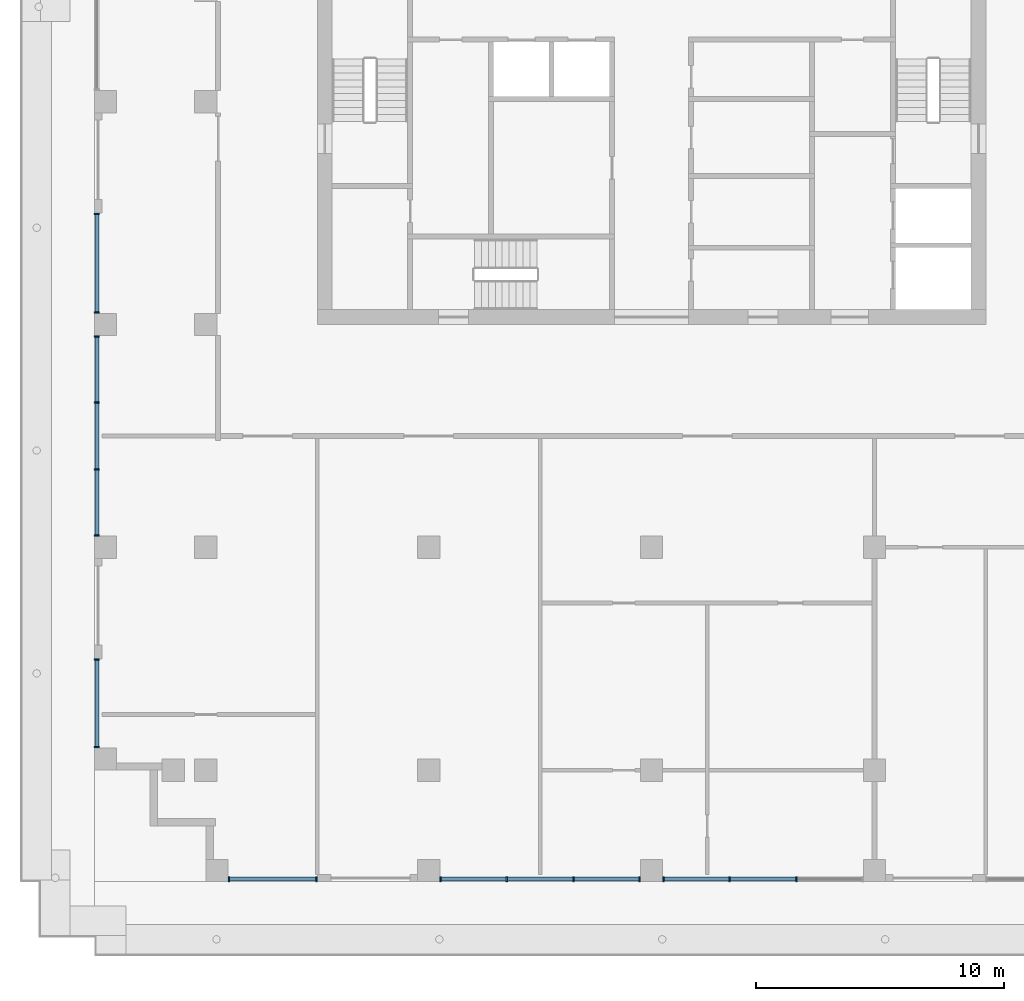
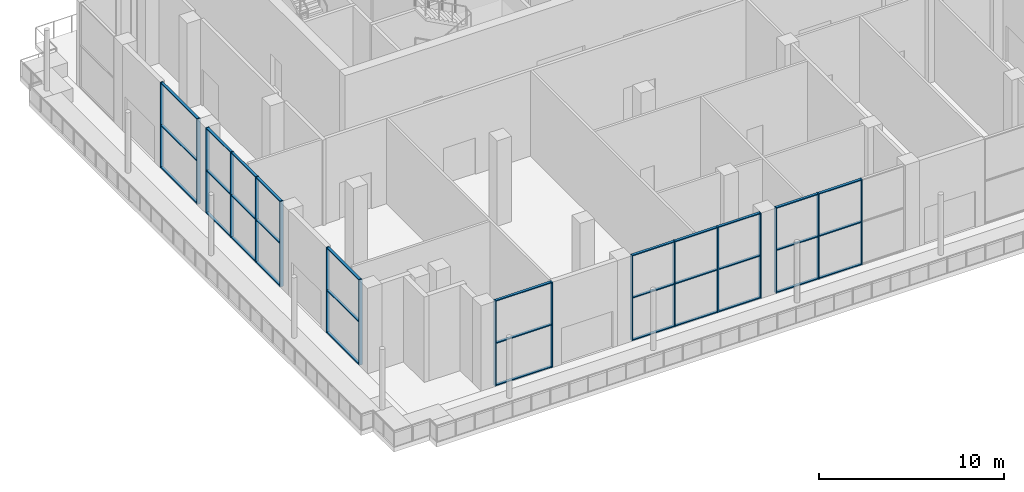
# One storey, part 2 of 13: 50 members, 6 elements without a shape of their own.
"""IFC4 building model written with IfcOpenShell, lengths in metres."""

from ifc_helpers import new_model, si_unit, direction, frame, origin, origin_2d, place, context, subcontext, project, spatial, rectangle, extrude, material, material_profile, profile_set, type_object, element, aggregate, save


model = new_model("IFC4")

# Units and contexts
model_context = context("Model", 3, precision=1e-05, world=origin(), true_north=direction((0.0, 1.0)))
body_context = subcontext(model_context, "Body", "Model", "MODEL_VIEW")
ifc_project = project(units=[si_unit("LENGTHUNIT", "METRE"), si_unit("AREAUNIT", "SQUARE_METRE"), si_unit("VOLUMEUNIT", "CUBIC_METRE"), si_unit("PLANEANGLEUNIT", "RADIAN"), si_unit("MASSUNIT", "GRAM", prefix="KILO")], contexts=[model_context])

# Site, building, storey
site_placement = place(None, origin())
site = spatial("IfcSite", under=ifc_project, at=site_placement, CompositionType="ELEMENT")
building_placement = place(site_placement, origin())
building = spatial("IfcBuilding", under=site, at=building_placement, Name="Orbiselva Terraces", CompositionType="ELEMENT")
storey_placement = place(building_placement, frame((0.0, 0.0, 297.4)))
storey = spatial("IfcBuildingStorey", under=building, at=storey_placement, Name="L74", CompositionType="ELEMENT", Elevation=297.4)

# Curtain wall, members
ifc_material_1 = material(Name="Clear low-e glazing in aluminium frame", Category="aluminium")
curtain_wall_type = type_object("IfcCurtainWallType", Name="ENV-CW-OBS", PredefinedType="NOTDEFINED", material=ifc_material_1)
curtain_wall_1_placement = place(storey_placement, origin())
curtain_wall_1 = element("IfcCurtainWall", 1, at=curtain_wall_1_placement, inside=storey, type_object=curtain_wall_type, Name="Curtain wall L74 S", PredefinedType="NOTDEFINED")
ifc_material_2 = material(Name="Anodised aluminium", Category="aluminium")
ifc_material_profile_1 = material_profile(ifc_material_2, rectangle(XDim=0.2, YDim=0.065, at=origin_2d()), Name="AL 65x200")
ifc_profile_set_1 = profile_set([ifc_material_profile_1], Name="Anodised aluminium")
member_type_1 = type_object("IfcMemberType", Name="ENV-CW-OBS-MULLION-65x200", PredefinedType="MULLION", material=ifc_profile_set_1)
member_1_placement = place(storey_placement, frame((-17.0675, -17.9, 0.0), z_axis=(0.0, 0.0, 1.0), x_axis=(0.0, 1.0, 0.0)))
member_1 = element("IfcMember", 2, at=member_1_placement, type_object=member_type_1, Name="CW5 mullion 1", PredefinedType="MULLION", context=body_context, shape_type="SweptSolid", body=[
    extrude(rectangle(XDim=0.2, YDim=0.065, at=origin_2d()), origin(), (0.0, 0.0, 1.0), 5.65),
])
member_2_placement = place(storey_placement, frame((-13.5325, -17.9, 0.0), z_axis=(0.0, 0.0, 1.0), x_axis=(0.0, 1.0, 0.0)))
member_2 = element("IfcMember", 3, at=member_2_placement, type_object=member_type_1, Name="CW5 mullion 2", PredefinedType="MULLION", context=body_context, shape_type="SweptSolid", body=[
    extrude(rectangle(XDim=0.2, YDim=0.065, at=origin_2d()), origin(), (0.0, 0.0, 1.0), 5.65),
])

curtain_wall_2_placement = place(storey_placement, origin())
curtain_wall_2 = element("IfcCurtainWall", 4, at=curtain_wall_2_placement, inside=storey, type_object=curtain_wall_type, Name="Curtain wall L74 S", PredefinedType="NOTDEFINED")
member_3_placement = place(storey_placement, frame((-8.5175, -17.9, 0.0), z_axis=(0.0, 0.0, 1.0), x_axis=(0.0, 1.0, 0.0)))
member_3 = element("IfcMember", 5, at=member_3_placement, type_object=member_type_1, Name="CW5 mullion 1", PredefinedType="MULLION", context=body_context, shape_type="SweptSolid", body=[
    extrude(rectangle(XDim=0.2, YDim=0.065, at=origin_2d()), origin(), (0.0, 0.0, 1.0), 5.65),
])
member_4_placement = place(storey_placement, frame((-5.85, -17.9, 0.0), z_axis=(0.0, 0.0, 1.0), x_axis=(0.0, 1.0, 0.0)))
member_4 = element("IfcMember", 6, at=member_4_placement, type_object=member_type_1, Name="CW5 mullion 2", PredefinedType="MULLION", context=body_context, shape_type="SweptSolid", body=[
    extrude(rectangle(XDim=0.2, YDim=0.065, at=origin_2d()), origin(), (0.0, 0.0, 1.0), 5.65),
])
member_5_placement = place(storey_placement, frame((-3.15, -17.9, 0.0), z_axis=(0.0, 0.0, 1.0), x_axis=(0.0, 1.0, 0.0)))
member_5 = element("IfcMember", 7, at=member_5_placement, type_object=member_type_1, Name="CW5 mullion 3", PredefinedType="MULLION", context=body_context, shape_type="SweptSolid", body=[
    extrude(rectangle(XDim=0.2, YDim=0.065, at=origin_2d()), origin(), (0.0, 0.0, 1.0), 5.65),
])
member_6_placement = place(storey_placement, frame((-0.4825, -17.9, 0.0), z_axis=(0.0, 0.0, 1.0), x_axis=(0.0, 1.0, 0.0)))
member_6 = element("IfcMember", 8, at=member_6_placement, type_object=member_type_1, Name="CW5 mullion 4", PredefinedType="MULLION", context=body_context, shape_type="SweptSolid", body=[
    extrude(rectangle(XDim=0.2, YDim=0.065, at=origin_2d()), origin(), (0.0, 0.0, 1.0), 5.65),
])

curtain_wall_3_placement = place(storey_placement, origin())
curtain_wall_3 = element("IfcCurtainWall", 9, at=curtain_wall_3_placement, inside=storey, type_object=curtain_wall_type, Name="Curtain wall L74 S", PredefinedType="NOTDEFINED")
member_7_placement = place(storey_placement, frame((0.4825, -17.9, 0.0), z_axis=(0.0, 0.0, 1.0), x_axis=(0.0, 1.0, 0.0)))
member_7 = element("IfcMember", 10, at=member_7_placement, type_object=member_type_1, Name="CW5 mullion 1", PredefinedType="MULLION", context=body_context, shape_type="SweptSolid", body=[
    extrude(rectangle(XDim=0.2, YDim=0.065, at=origin_2d()), origin(), (0.0, 0.0, 1.0), 5.65),
])
member_8_placement = place(storey_placement, frame((3.15, -17.9, 0.0), z_axis=(0.0, 0.0, 1.0), x_axis=(0.0, 1.0, 0.0)))
member_8 = element("IfcMember", 11, at=member_8_placement, type_object=member_type_1, Name="CW5 mullion 2", PredefinedType="MULLION", context=body_context, shape_type="SweptSolid", body=[
    extrude(rectangle(XDim=0.2, YDim=0.065, at=origin_2d()), origin(), (0.0, 0.0, 1.0), 5.65),
])
member_9_placement = place(storey_placement, frame((5.85, -17.9, 0.0), z_axis=(0.0, 0.0, 1.0), x_axis=(0.0, 1.0, 0.0)))
member_9 = element("IfcMember", 12, at=member_9_placement, type_object=member_type_1, Name="CW5 mullion 3", PredefinedType="MULLION", context=body_context, shape_type="SweptSolid", body=[
    extrude(rectangle(XDim=0.2, YDim=0.065, at=origin_2d()), origin(), (0.0, 0.0, 1.0), 5.65),
])

curtain_wall_4_placement = place(storey_placement, origin())
curtain_wall_4 = element("IfcCurtainWall", 13, at=curtain_wall_4_placement, inside=storey, type_object=curtain_wall_type, Name="Curtain wall L74 W", PredefinedType="NOTDEFINED")
member_10_placement = place(storey_placement, frame((-22.4, 8.9675, 0.0), z_axis=(0.0, 0.0, 1.0), x_axis=(1.0, 0.0, 0.0)))
member_10 = element("IfcMember", 14, at=member_10_placement, type_object=member_type_1, Name="CW5 mullion 1", PredefinedType="MULLION", context=body_context, shape_type="SweptSolid", body=[
    extrude(rectangle(XDim=0.2, YDim=0.065, at=origin_2d()), origin(), (0.0, 0.0, 1.0), 5.65),
])
member_11_placement = place(storey_placement, frame((-22.4, 4.9825, 0.0), z_axis=(0.0, 0.0, 1.0), x_axis=(1.0, 0.0, 0.0)))
member_11 = element("IfcMember", 15, at=member_11_placement, type_object=member_type_1, Name="CW5 mullion 2", PredefinedType="MULLION", context=body_context, shape_type="SweptSolid", body=[
    extrude(rectangle(XDim=0.2, YDim=0.065, at=origin_2d()), origin(), (0.0, 0.0, 1.0), 5.65),
])

curtain_wall_5_placement = place(storey_placement, origin())
curtain_wall_5 = element("IfcCurtainWall", 16, at=curtain_wall_5_placement, inside=storey, type_object=curtain_wall_type, Name="Curtain wall L74 W", PredefinedType="NOTDEFINED")
member_12_placement = place(storey_placement, frame((-22.4, 4.0175, 0.0), z_axis=(0.0, 0.0, 1.0), x_axis=(1.0, 0.0, 0.0)))
member_12 = element("IfcMember", 17, at=member_12_placement, type_object=member_type_1, Name="CW5 mullion 1", PredefinedType="MULLION", context=body_context, shape_type="SweptSolid", body=[
    extrude(rectangle(XDim=0.2, YDim=0.065, at=origin_2d()), origin(), (0.0, 0.0, 1.0), 5.65),
])
member_13_placement = place(storey_placement, frame((-22.4, 1.35, 0.0), z_axis=(0.0, 0.0, 1.0), x_axis=(1.0, 0.0, 0.0)))
member_13 = element("IfcMember", 18, at=member_13_placement, type_object=member_type_1, Name="CW5 mullion 2", PredefinedType="MULLION", context=body_context, shape_type="SweptSolid", body=[
    extrude(rectangle(XDim=0.2, YDim=0.065, at=origin_2d()), origin(), (0.0, 0.0, 1.0), 5.65),
])
member_14_placement = place(storey_placement, frame((-22.4, -1.35, 0.0), z_axis=(0.0, 0.0, 1.0), x_axis=(1.0, 0.0, 0.0)))
member_14 = element("IfcMember", 19, at=member_14_placement, type_object=member_type_1, Name="CW5 mullion 3", PredefinedType="MULLION", context=body_context, shape_type="SweptSolid", body=[
    extrude(rectangle(XDim=0.2, YDim=0.065, at=origin_2d()), origin(), (0.0, 0.0, 1.0), 5.65),
])
member_15_placement = place(storey_placement, frame((-22.4, -4.0175, 0.0), z_axis=(0.0, 0.0, 1.0), x_axis=(1.0, 0.0, 0.0)))
member_15 = element("IfcMember", 20, at=member_15_placement, type_object=member_type_1, Name="CW5 mullion 4", PredefinedType="MULLION", context=body_context, shape_type="SweptSolid", body=[
    extrude(rectangle(XDim=0.2, YDim=0.065, at=origin_2d()), origin(), (0.0, 0.0, 1.0), 5.65),
])

curtain_wall_6_placement = place(storey_placement, origin())
curtain_wall_6 = element("IfcCurtainWall", 21, at=curtain_wall_6_placement, inside=storey, type_object=curtain_wall_type, Name="Curtain wall L74 W", PredefinedType="NOTDEFINED")
member_16_placement = place(storey_placement, frame((-22.4, -9.0325, 0.0), z_axis=(0.0, 0.0, 1.0), x_axis=(1.0, 0.0, 0.0)))
member_16 = element("IfcMember", 22, at=member_16_placement, type_object=member_type_1, Name="CW5 mullion 1", PredefinedType="MULLION", context=body_context, shape_type="SweptSolid", body=[
    extrude(rectangle(XDim=0.2, YDim=0.065, at=origin_2d()), origin(), (0.0, 0.0, 1.0), 5.65),
])
member_17_placement = place(storey_placement, frame((-22.4, -12.5675, 0.0), z_axis=(0.0, 0.0, 1.0), x_axis=(1.0, 0.0, 0.0)))
member_17 = element("IfcMember", 23, at=member_17_placement, type_object=member_type_1, Name="CW5 mullion 2", PredefinedType="MULLION", context=body_context, shape_type="SweptSolid", body=[
    extrude(rectangle(XDim=0.2, YDim=0.065, at=origin_2d()), origin(), (0.0, 0.0, 1.0), 5.65),
])

# Member
ifc_material_profile_2 = material_profile(ifc_material_2, rectangle(XDim=0.16, YDim=0.065, at=origin_2d()), Name="AL 65x160")
ifc_profile_set_2 = profile_set([ifc_material_profile_2], Name="Anodised aluminium")
member_type_2 = type_object("IfcMemberType", Name="ENV-CW-OBS-TRANSOM-65x160", PredefinedType="USERDEFINED", material=ifc_profile_set_2)
member_18_placement = place(storey_placement, frame((-17.035, -17.9, 0.0325), z_axis=(1.0, 0.0, 0.0), x_axis=(0.0, 1.0, 0.0)))
member_18 = element("IfcMember", 24, at=member_18_placement, type_object=member_type_2, Name="CW5 transom 1.1", ObjectType="TRANSOM", PredefinedType="USERDEFINED", context=body_context, shape_type="SweptSolid", body=[
    extrude(rectangle(XDim=0.16, YDim=0.065, at=origin_2d()), origin(), (0.0, 0.0, 1.0), 3.47),
])

member_19_placement = place(storey_placement, frame((-17.035, -17.9, 2.825), z_axis=(1.0, 0.0, 0.0), x_axis=(0.0, 1.0, 0.0)))
member_19 = element("IfcMember", 25, at=member_19_placement, type_object=member_type_2, Name="CW5 transom 1.2", ObjectType="TRANSOM", PredefinedType="USERDEFINED", context=body_context, shape_type="SweptSolid", body=[
    extrude(rectangle(XDim=0.16, YDim=0.065, at=origin_2d()), origin(), (0.0, 0.0, 1.0), 3.47),
])

member_20_placement = place(storey_placement, frame((-17.035, -17.9, 5.6175), z_axis=(1.0, 0.0, 0.0), x_axis=(0.0, 1.0, 0.0)))
member_20 = element("IfcMember", 26, at=member_20_placement, type_object=member_type_2, Name="CW5 transom 1.3", ObjectType="TRANSOM", PredefinedType="USERDEFINED", context=body_context, shape_type="SweptSolid", body=[
    extrude(rectangle(XDim=0.16, YDim=0.065, at=origin_2d()), origin(), (0.0, 0.0, 1.0), 3.47),
])

aggregate(curtain_wall_1, [member_1, member_2, member_18, member_19, member_20])

member_21_placement = place(storey_placement, frame((-8.485, -17.9, 0.0325), z_axis=(1.0, 0.0, 0.0), x_axis=(0.0, 1.0, 0.0)))
member_21 = element("IfcMember", 27, at=member_21_placement, type_object=member_type_2, Name="CW5 transom 1.1", ObjectType="TRANSOM", PredefinedType="USERDEFINED", context=body_context, shape_type="SweptSolid", body=[
    extrude(rectangle(XDim=0.16, YDim=0.065, at=origin_2d()), origin(), (0.0, 0.0, 1.0), 2.6025),
])

member_22_placement = place(storey_placement, frame((-8.485, -17.9, 2.825), z_axis=(1.0, 0.0, 0.0), x_axis=(0.0, 1.0, 0.0)))
member_22 = element("IfcMember", 28, at=member_22_placement, type_object=member_type_2, Name="CW5 transom 1.2", ObjectType="TRANSOM", PredefinedType="USERDEFINED", context=body_context, shape_type="SweptSolid", body=[
    extrude(rectangle(XDim=0.16, YDim=0.065, at=origin_2d()), origin(), (0.0, 0.0, 1.0), 2.6025),
])

member_23_placement = place(storey_placement, frame((-8.485, -17.9, 5.6175), z_axis=(1.0, 0.0, 0.0), x_axis=(0.0, 1.0, 0.0)))
member_23 = element("IfcMember", 29, at=member_23_placement, type_object=member_type_2, Name="CW5 transom 1.3", ObjectType="TRANSOM", PredefinedType="USERDEFINED", context=body_context, shape_type="SweptSolid", body=[
    extrude(rectangle(XDim=0.16, YDim=0.065, at=origin_2d()), origin(), (0.0, 0.0, 1.0), 2.6025),
])

member_24_placement = place(storey_placement, frame((-5.8175, -17.9, 0.0325), z_axis=(1.0, 0.0, 0.0), x_axis=(0.0, 1.0, 0.0)))
member_24 = element("IfcMember", 30, at=member_24_placement, type_object=member_type_2, Name="CW5 transom 2.1", ObjectType="TRANSOM", PredefinedType="USERDEFINED", context=body_context, shape_type="SweptSolid", body=[
    extrude(rectangle(XDim=0.16, YDim=0.065, at=origin_2d()), origin(), (0.0, 0.0, 1.0), 2.635),
])

member_25_placement = place(storey_placement, frame((-5.8175, -17.9, 2.825), z_axis=(1.0, 0.0, 0.0), x_axis=(0.0, 1.0, 0.0)))
member_25 = element("IfcMember", 31, at=member_25_placement, type_object=member_type_2, Name="CW5 transom 2.2", ObjectType="TRANSOM", PredefinedType="USERDEFINED", context=body_context, shape_type="SweptSolid", body=[
    extrude(rectangle(XDim=0.16, YDim=0.065, at=origin_2d()), origin(), (0.0, 0.0, 1.0), 2.635),
])

member_26_placement = place(storey_placement, frame((-5.8175, -17.9, 5.6175), z_axis=(1.0, 0.0, 0.0), x_axis=(0.0, 1.0, 0.0)))
member_26 = element("IfcMember", 32, at=member_26_placement, type_object=member_type_2, Name="CW5 transom 2.3", ObjectType="TRANSOM", PredefinedType="USERDEFINED", context=body_context, shape_type="SweptSolid", body=[
    extrude(rectangle(XDim=0.16, YDim=0.065, at=origin_2d()), origin(), (0.0, 0.0, 1.0), 2.635),
])

member_27_placement = place(storey_placement, frame((-3.1175, -17.9, 0.0325), z_axis=(1.0, 0.0, 0.0), x_axis=(0.0, 1.0, 0.0)))
member_27 = element("IfcMember", 33, at=member_27_placement, type_object=member_type_2, Name="CW5 transom 3.1", ObjectType="TRANSOM", PredefinedType="USERDEFINED", context=body_context, shape_type="SweptSolid", body=[
    extrude(rectangle(XDim=0.16, YDim=0.065, at=origin_2d()), origin(), (0.0, 0.0, 1.0), 2.6025),
])

member_28_placement = place(storey_placement, frame((-3.1175, -17.9, 2.825), z_axis=(1.0, 0.0, 0.0), x_axis=(0.0, 1.0, 0.0)))
member_28 = element("IfcMember", 34, at=member_28_placement, type_object=member_type_2, Name="CW5 transom 3.2", ObjectType="TRANSOM", PredefinedType="USERDEFINED", context=body_context, shape_type="SweptSolid", body=[
    extrude(rectangle(XDim=0.16, YDim=0.065, at=origin_2d()), origin(), (0.0, 0.0, 1.0), 2.6025),
])

member_29_placement = place(storey_placement, frame((-3.1175, -17.9, 5.6175), z_axis=(1.0, 0.0, 0.0), x_axis=(0.0, 1.0, 0.0)))
member_29 = element("IfcMember", 35, at=member_29_placement, type_object=member_type_2, Name="CW5 transom 3.3", ObjectType="TRANSOM", PredefinedType="USERDEFINED", context=body_context, shape_type="SweptSolid", body=[
    extrude(rectangle(XDim=0.16, YDim=0.065, at=origin_2d()), origin(), (0.0, 0.0, 1.0), 2.6025),
])

aggregate(curtain_wall_2, [member_3, member_4, member_5, member_6, member_21, member_22, member_23, member_24, member_25, member_26, member_27, member_28, member_29])

member_30_placement = place(storey_placement, frame((0.515, -17.9, 0.0325), z_axis=(1.0, 0.0, 0.0), x_axis=(0.0, 1.0, 0.0)))
member_30 = element("IfcMember", 36, at=member_30_placement, type_object=member_type_2, Name="CW5 transom 1.1", ObjectType="TRANSOM", PredefinedType="USERDEFINED", context=body_context, shape_type="SweptSolid", body=[
    extrude(rectangle(XDim=0.16, YDim=0.065, at=origin_2d()), origin(), (0.0, 0.0, 1.0), 2.6025),
])

member_31_placement = place(storey_placement, frame((0.515, -17.9, 2.825), z_axis=(1.0, 0.0, 0.0), x_axis=(0.0, 1.0, 0.0)))
member_31 = element("IfcMember", 37, at=member_31_placement, type_object=member_type_2, Name="CW5 transom 1.2", ObjectType="TRANSOM", PredefinedType="USERDEFINED", context=body_context, shape_type="SweptSolid", body=[
    extrude(rectangle(XDim=0.16, YDim=0.065, at=origin_2d()), origin(), (0.0, 0.0, 1.0), 2.6025),
])

member_32_placement = place(storey_placement, frame((0.515, -17.9, 5.6175), z_axis=(1.0, 0.0, 0.0), x_axis=(0.0, 1.0, 0.0)))
member_32 = element("IfcMember", 38, at=member_32_placement, type_object=member_type_2, Name="CW5 transom 1.3", ObjectType="TRANSOM", PredefinedType="USERDEFINED", context=body_context, shape_type="SweptSolid", body=[
    extrude(rectangle(XDim=0.16, YDim=0.065, at=origin_2d()), origin(), (0.0, 0.0, 1.0), 2.6025),
])

member_33_placement = place(storey_placement, frame((3.1825, -17.9, 0.0325), z_axis=(1.0, 0.0, 0.0), x_axis=(0.0, 1.0, 0.0)))
member_33 = element("IfcMember", 39, at=member_33_placement, type_object=member_type_2, Name="CW5 transom 2.1", ObjectType="TRANSOM", PredefinedType="USERDEFINED", context=body_context, shape_type="SweptSolid", body=[
    extrude(rectangle(XDim=0.16, YDim=0.065, at=origin_2d()), origin(), (0.0, 0.0, 1.0), 2.635),
])

member_34_placement = place(storey_placement, frame((3.1825, -17.9, 2.825), z_axis=(1.0, 0.0, 0.0), x_axis=(0.0, 1.0, 0.0)))
member_34 = element("IfcMember", 40, at=member_34_placement, type_object=member_type_2, Name="CW5 transom 2.2", ObjectType="TRANSOM", PredefinedType="USERDEFINED", context=body_context, shape_type="SweptSolid", body=[
    extrude(rectangle(XDim=0.16, YDim=0.065, at=origin_2d()), origin(), (0.0, 0.0, 1.0), 2.635),
])

member_35_placement = place(storey_placement, frame((3.1825, -17.9, 5.6175), z_axis=(1.0, 0.0, 0.0), x_axis=(0.0, 1.0, 0.0)))
member_35 = element("IfcMember", 41, at=member_35_placement, type_object=member_type_2, Name="CW5 transom 2.3", ObjectType="TRANSOM", PredefinedType="USERDEFINED", context=body_context, shape_type="SweptSolid", body=[
    extrude(rectangle(XDim=0.16, YDim=0.065, at=origin_2d()), origin(), (0.0, 0.0, 1.0), 2.635),
])

aggregate(curtain_wall_3, [member_7, member_8, member_9, member_30, member_31, member_32, member_33, member_34, member_35])

member_36_placement = place(storey_placement, frame((-22.4, 8.935, 0.0325), z_axis=(0.0, -1.0, 0.0), x_axis=(1.0, 0.0, 0.0)))
member_36 = element("IfcMember", 42, at=member_36_placement, type_object=member_type_2, Name="CW5 transom 1.1", ObjectType="TRANSOM", PredefinedType="USERDEFINED", context=body_context, shape_type="SweptSolid", body=[
    extrude(rectangle(XDim=0.16, YDim=0.065, at=origin_2d()), origin(), (0.0, 0.0, 1.0), 3.92),
])

member_37_placement = place(storey_placement, frame((-22.4, 8.935, 2.825), z_axis=(0.0, -1.0, 0.0), x_axis=(1.0, 0.0, 0.0)))
member_37 = element("IfcMember", 43, at=member_37_placement, type_object=member_type_2, Name="CW5 transom 1.2", ObjectType="TRANSOM", PredefinedType="USERDEFINED", context=body_context, shape_type="SweptSolid", body=[
    extrude(rectangle(XDim=0.16, YDim=0.065, at=origin_2d()), origin(), (0.0, 0.0, 1.0), 3.92),
])

member_38_placement = place(storey_placement, frame((-22.4, 8.935, 5.6175), z_axis=(0.0, -1.0, 0.0), x_axis=(1.0, 0.0, 0.0)))
member_38 = element("IfcMember", 44, at=member_38_placement, type_object=member_type_2, Name="CW5 transom 1.3", ObjectType="TRANSOM", PredefinedType="USERDEFINED", context=body_context, shape_type="SweptSolid", body=[
    extrude(rectangle(XDim=0.16, YDim=0.065, at=origin_2d()), origin(), (0.0, 0.0, 1.0), 3.92),
])

aggregate(curtain_wall_4, [member_10, member_11, member_36, member_37, member_38])

member_39_placement = place(storey_placement, frame((-22.4, 3.985, 0.0325), z_axis=(0.0, -1.0, 0.0), x_axis=(1.0, 0.0, 0.0)))
member_39 = element("IfcMember", 45, at=member_39_placement, type_object=member_type_2, Name="CW5 transom 1.1", ObjectType="TRANSOM", PredefinedType="USERDEFINED", context=body_context, shape_type="SweptSolid", body=[
    extrude(rectangle(XDim=0.16, YDim=0.065, at=origin_2d()), origin(), (0.0, 0.0, 1.0), 2.6025),
])

member_40_placement = place(storey_placement, frame((-22.4, 3.985, 2.825), z_axis=(0.0, -1.0, 0.0), x_axis=(1.0, 0.0, 0.0)))
member_40 = element("IfcMember", 46, at=member_40_placement, type_object=member_type_2, Name="CW5 transom 1.2", ObjectType="TRANSOM", PredefinedType="USERDEFINED", context=body_context, shape_type="SweptSolid", body=[
    extrude(rectangle(XDim=0.16, YDim=0.065, at=origin_2d()), origin(), (0.0, 0.0, 1.0), 2.6025),
])

member_41_placement = place(storey_placement, frame((-22.4, 3.985, 5.6175), z_axis=(0.0, -1.0, 0.0), x_axis=(1.0, 0.0, 0.0)))
member_41 = element("IfcMember", 47, at=member_41_placement, type_object=member_type_2, Name="CW5 transom 1.3", ObjectType="TRANSOM", PredefinedType="USERDEFINED", context=body_context, shape_type="SweptSolid", body=[
    extrude(rectangle(XDim=0.16, YDim=0.065, at=origin_2d()), origin(), (0.0, 0.0, 1.0), 2.6025),
])

member_42_placement = place(storey_placement, frame((-22.4, 1.3175, 0.0325), z_axis=(0.0, -1.0, 0.0), x_axis=(1.0, 0.0, 0.0)))
member_42 = element("IfcMember", 48, at=member_42_placement, type_object=member_type_2, Name="CW5 transom 2.1", ObjectType="TRANSOM", PredefinedType="USERDEFINED", context=body_context, shape_type="SweptSolid", body=[
    extrude(rectangle(XDim=0.16, YDim=0.065, at=origin_2d()), origin(), (0.0, 0.0, 1.0), 2.635),
])

member_43_placement = place(storey_placement, frame((-22.4, 1.3175, 2.825), z_axis=(0.0, -1.0, 0.0), x_axis=(1.0, 0.0, 0.0)))
member_43 = element("IfcMember", 49, at=member_43_placement, type_object=member_type_2, Name="CW5 transom 2.2", ObjectType="TRANSOM", PredefinedType="USERDEFINED", context=body_context, shape_type="SweptSolid", body=[
    extrude(rectangle(XDim=0.16, YDim=0.065, at=origin_2d()), origin(), (0.0, 0.0, 1.0), 2.635),
])

member_44_placement = place(storey_placement, frame((-22.4, 1.3175, 5.6175), z_axis=(0.0, -1.0, 0.0), x_axis=(1.0, 0.0, 0.0)))
member_44 = element("IfcMember", 50, at=member_44_placement, type_object=member_type_2, Name="CW5 transom 2.3", ObjectType="TRANSOM", PredefinedType="USERDEFINED", context=body_context, shape_type="SweptSolid", body=[
    extrude(rectangle(XDim=0.16, YDim=0.065, at=origin_2d()), origin(), (0.0, 0.0, 1.0), 2.635),
])

member_45_placement = place(storey_placement, frame((-22.4, -1.3825, 0.0325), z_axis=(0.0, -1.0, 0.0), x_axis=(1.0, 0.0, 0.0)))
member_45 = element("IfcMember", 51, at=member_45_placement, type_object=member_type_2, Name="CW5 transom 3.1", ObjectType="TRANSOM", PredefinedType="USERDEFINED", context=body_context, shape_type="SweptSolid", body=[
    extrude(rectangle(XDim=0.16, YDim=0.065, at=origin_2d()), origin(), (0.0, 0.0, 1.0), 2.6025),
])

member_46_placement = place(storey_placement, frame((-22.4, -1.3825, 2.825), z_axis=(0.0, -1.0, 0.0), x_axis=(1.0, 0.0, 0.0)))
member_46 = element("IfcMember", 52, at=member_46_placement, type_object=member_type_2, Name="CW5 transom 3.2", ObjectType="TRANSOM", PredefinedType="USERDEFINED", context=body_context, shape_type="SweptSolid", body=[
    extrude(rectangle(XDim=0.16, YDim=0.065, at=origin_2d()), origin(), (0.0, 0.0, 1.0), 2.6025),
])

member_47_placement = place(storey_placement, frame((-22.4, -1.3825, 5.6175), z_axis=(0.0, -1.0, 0.0), x_axis=(1.0, 0.0, 0.0)))
member_47 = element("IfcMember", 53, at=member_47_placement, type_object=member_type_2, Name="CW5 transom 3.3", ObjectType="TRANSOM", PredefinedType="USERDEFINED", context=body_context, shape_type="SweptSolid", body=[
    extrude(rectangle(XDim=0.16, YDim=0.065, at=origin_2d()), origin(), (0.0, 0.0, 1.0), 2.6025),
])

aggregate(curtain_wall_5, [member_12, member_13, member_14, member_15, member_39, member_40, member_41, member_42, member_43, member_44, member_45, member_46, member_47])

member_48_placement = place(storey_placement, frame((-22.4, -9.065, 0.0325), z_axis=(0.0, -1.0, 0.0), x_axis=(1.0, 0.0, 0.0)))
member_48 = element("IfcMember", 54, at=member_48_placement, type_object=member_type_2, Name="CW5 transom 1.1", ObjectType="TRANSOM", PredefinedType="USERDEFINED", context=body_context, shape_type="SweptSolid", body=[
    extrude(rectangle(XDim=0.16, YDim=0.065, at=origin_2d()), origin(), (0.0, 0.0, 1.0), 3.47),
])

member_49_placement = place(storey_placement, frame((-22.4, -9.065, 2.825), z_axis=(0.0, -1.0, 0.0), x_axis=(1.0, 0.0, 0.0)))
member_49 = element("IfcMember", 55, at=member_49_placement, type_object=member_type_2, Name="CW5 transom 1.2", ObjectType="TRANSOM", PredefinedType="USERDEFINED", context=body_context, shape_type="SweptSolid", body=[
    extrude(rectangle(XDim=0.16, YDim=0.065, at=origin_2d()), origin(), (0.0, 0.0, 1.0), 3.47),
])

member_50_placement = place(storey_placement, frame((-22.4, -9.065, 5.6175), z_axis=(0.0, -1.0, 0.0), x_axis=(1.0, 0.0, 0.0)))
member_50 = element("IfcMember", 56, at=member_50_placement, type_object=member_type_2, Name="CW5 transom 1.3", ObjectType="TRANSOM", PredefinedType="USERDEFINED", context=body_context, shape_type="SweptSolid", body=[
    extrude(rectangle(XDim=0.16, YDim=0.065, at=origin_2d()), origin(), (0.0, 0.0, 1.0), 3.47),
])

aggregate(curtain_wall_6, [member_16, member_17, member_48, member_49, member_50])

save(model, "model.ifc")
